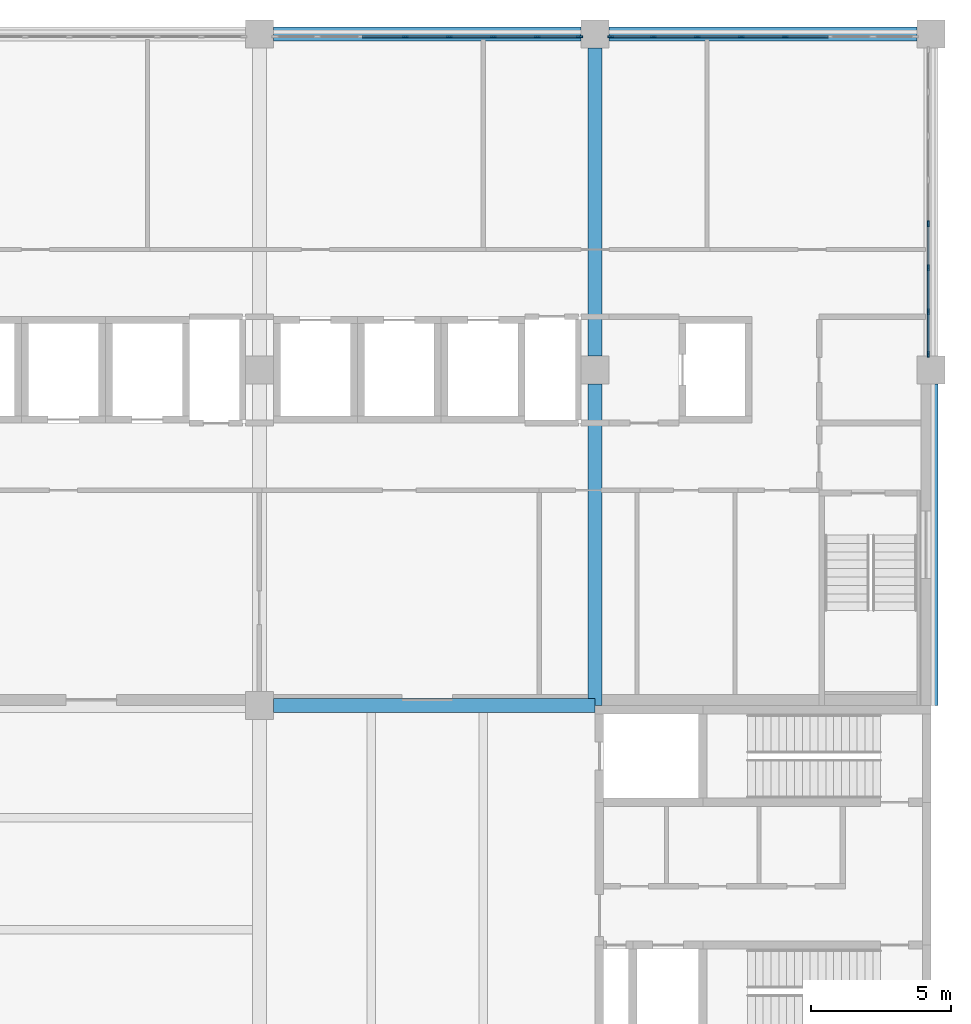
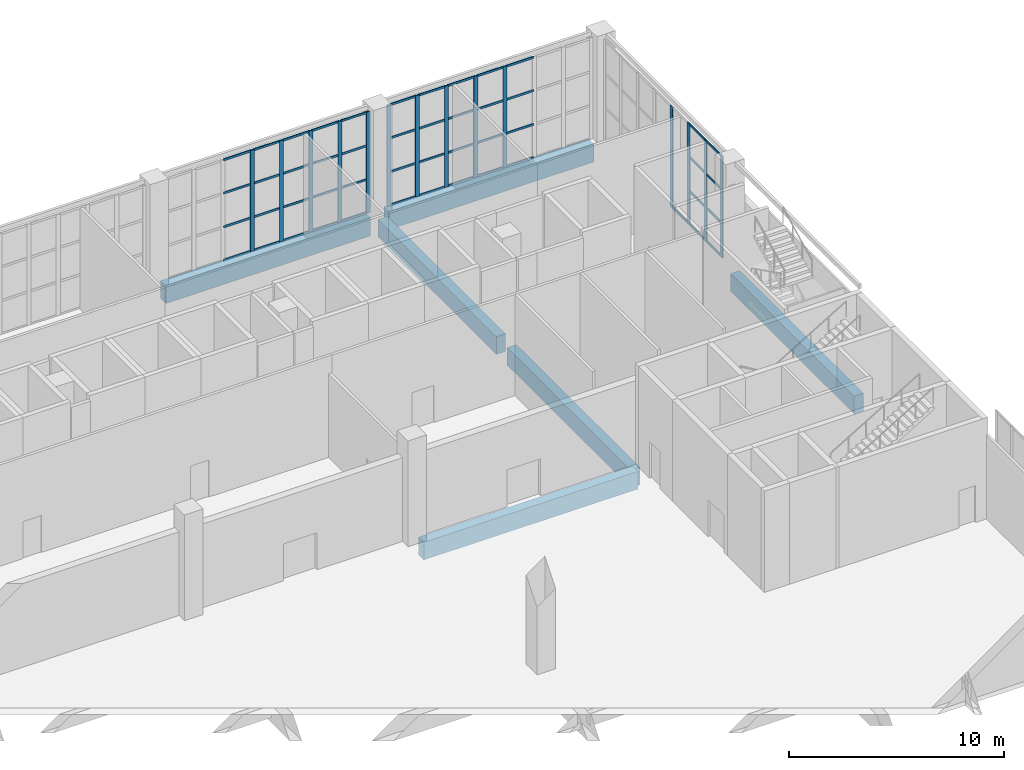
# One storey, part 38 of 72: 63 members, 6 beams, 3 elements without a shape of their own.
"""IFC4 building model written with IfcOpenShell, lengths in metres."""

from ifc_helpers import new_model, si_unit, direction, frame, origin, origin_2d, place, context, subcontext, project, spatial, rectangle, extrude, material, layer, layer_set, material_profile, profile_set, type_object, element, aggregate, save


model = new_model("IFC4")

# Units and contexts
model_context = context("Model", 3, precision=1e-05, world=origin(), true_north=direction((0.0, 1.0)))
body_context = subcontext(model_context, "Body", "Model", "MODEL_VIEW")
ifc_project = project(units=[si_unit("LENGTHUNIT", "METRE"), si_unit("AREAUNIT", "SQUARE_METRE"), si_unit("VOLUMEUNIT", "CUBIC_METRE"), si_unit("PLANEANGLEUNIT", "RADIAN"), si_unit("MASSUNIT", "GRAM", prefix="KILO")], contexts=[model_context])

# Site, building, storey
site_placement = place(None, origin())
site = spatial("IfcSite", under=ifc_project, at=site_placement, CompositionType="ELEMENT")
building_placement = place(site_placement, origin())
building = spatial("IfcBuilding", under=site, at=building_placement, Name="Lilac Gate Convention Centre", CompositionType="ELEMENT")
storey_placement = place(building_placement, frame((0.0, 0.0, 6.0)))
storey = spatial("IfcBuildingStorey", under=building, at=storey_placement, Name="L01", CompositionType="ELEMENT", Elevation=6.0)

# Curtain wall, members
ifc_material_1 = material(Name="Aluminium framed double glazing", Category="aluminium")
ifc_layer = layer(ifc_material_1, 0.199951171875)
ifc_layer_set = layer_set([ifc_layer], Name="Aluminium framed double glazing")
curtain_wall_type = type_object("IfcCurtainWallType", Name="Unitised curtain wall 1500", PredefinedType="NOTDEFINED", material=ifc_layer_set)
curtain_wall_1_placement = place(storey_placement, origin())
curtain_wall_1 = element("IfcCurtainWall", 1, at=curtain_wall_1_placement, inside=storey, type_object=curtain_wall_type, Name="Curtain wall E L01 2", PredefinedType="NOTDEFINED")
ifc_material_2 = material(Name="Aluminium alloy 6063", Category="aluminium")
ifc_material_profile_1 = material_profile(ifc_material_2, rectangle(XDim=0.06005859375, YDim=0.219970703125, at=origin_2d()), Name="Curtain wall mullion 60 x 220")
ifc_profile_set_1 = profile_set([ifc_material_profile_1], Name="Aluminium alloy 6063")
member_type_1 = type_object("IfcMemberType", Name="Curtain wall mullion 60 x 220", PredefinedType="MULLION", material=ifc_profile_set_1)
member_1_placement = place(storey_placement, frame((89.89990234375, 234.56005859375, 0.0), z_axis=(0.0, 0.0, 1.0), x_axis=(-1.0, 0.0, 0.0)))
member_1 = element("IfcMember", 2, at=member_1_placement, type_object=member_type_1, Name="CW mullion 1", PredefinedType="MULLION", context=body_context, shape_type="SweptSolid", body=[
    extrude(rectangle(XDim=0.06005859375, YDim=0.219970703125, at=origin_2d()), origin(), (0.0, 0.0, 1.0), 5.75),
])
member_2_placement = place(storey_placement, frame((89.89990234375, 236.071533203125, 0.0), z_axis=(0.0, 0.0, 1.0), x_axis=(-1.0, 0.0, 0.0)))
member_2 = element("IfcMember", 3, at=member_2_placement, type_object=member_type_1, Name="CW mullion 2", PredefinedType="MULLION", context=body_context, shape_type="SweptSolid", body=[
    extrude(rectangle(XDim=0.06005859375, YDim=0.219970703125, at=origin_2d()), origin(), (0.0, 0.0, 1.0), 5.75),
])
member_3_placement = place(storey_placement, frame((89.89990234375, 237.642822265625, 0.0), z_axis=(0.0, 0.0, 1.0), x_axis=(-1.0, 0.0, 0.0)))
member_3 = element("IfcMember", 4, at=member_3_placement, type_object=member_type_1, Name="CW mullion 3", PredefinedType="MULLION", context=body_context, shape_type="SweptSolid", body=[
    extrude(rectangle(XDim=0.06005859375, YDim=0.219970703125, at=origin_2d()), origin(), (0.0, 0.0, 1.0), 5.75),
])
member_4_placement = place(storey_placement, frame((89.89990234375, 239.21435546875, 0.0), z_axis=(0.0, 0.0, 1.0), x_axis=(-1.0, 0.0, 0.0)))
member_4 = element("IfcMember", 5, at=member_4_placement, type_object=member_type_1, Name="CW mullion 4", PredefinedType="MULLION", context=body_context, shape_type="SweptSolid", body=[
    extrude(rectangle(XDim=0.06005859375, YDim=0.219970703125, at=origin_2d()), origin(), (0.0, 0.0, 1.0), 5.75),
])

curtain_wall_2_placement = place(storey_placement, origin())
curtain_wall_2 = element("IfcCurtainWall", 6, at=curtain_wall_2_placement, inside=storey, type_object=curtain_wall_type, Name="Curtain wall N L01 1", PredefinedType="NOTDEFINED")
member_5_placement = place(storey_placement, frame((84.78564453125, 245.89990234375, 0.0), z_axis=(0.0, 0.0, 1.0), x_axis=(0.0, -1.0, 0.0)))
member_5 = element("IfcMember", 7, at=member_5_placement, type_object=member_type_1, Name="CW mullion 4", PredefinedType="MULLION", context=body_context, shape_type="SweptSolid", body=[
    extrude(rectangle(XDim=0.06005859375, YDim=0.219970703125, at=origin_2d()), origin(), (0.0, 0.0, 1.0), 5.75),
])
member_6_placement = place(storey_placement, frame((83.21435546875, 245.89990234375, 0.0), z_axis=(0.0, 0.0, 1.0), x_axis=(0.0, -1.0, 0.0)))
member_6 = element("IfcMember", 8, at=member_6_placement, type_object=member_type_1, Name="CW mullion 5", PredefinedType="MULLION", context=body_context, shape_type="SweptSolid", body=[
    extrude(rectangle(XDim=0.06005859375, YDim=0.219970703125, at=origin_2d()), origin(), (0.0, 0.0, 1.0), 5.75),
])
member_7_placement = place(storey_placement, frame((81.642822265625, 245.89990234375, 0.0), z_axis=(0.0, 0.0, 1.0), x_axis=(0.0, -1.0, 0.0)))
member_7 = element("IfcMember", 9, at=member_7_placement, type_object=member_type_1, Name="CW mullion 6", PredefinedType="MULLION", context=body_context, shape_type="SweptSolid", body=[
    extrude(rectangle(XDim=0.06005859375, YDim=0.219970703125, at=origin_2d()), origin(), (0.0, 0.0, 1.0), 5.75),
])
member_8_placement = place(storey_placement, frame((80.071533203125, 245.89990234375, 0.0), z_axis=(0.0, 0.0, 1.0), x_axis=(0.0, -1.0, 0.0)))
member_8 = element("IfcMember", 10, at=member_8_placement, type_object=member_type_1, Name="CW mullion 7", PredefinedType="MULLION", context=body_context, shape_type="SweptSolid", body=[
    extrude(rectangle(XDim=0.06005859375, YDim=0.219970703125, at=origin_2d()), origin(), (0.0, 0.0, 1.0), 5.75),
])
member_9_placement = place(storey_placement, frame((78.56005859375, 245.89990234375, 0.0), z_axis=(0.0, 0.0, 1.0), x_axis=(0.0, -1.0, 0.0)))
member_9 = element("IfcMember", 11, at=member_9_placement, type_object=member_type_1, Name="CW mullion 8", PredefinedType="MULLION", context=body_context, shape_type="SweptSolid", body=[
    extrude(rectangle(XDim=0.06005859375, YDim=0.219970703125, at=origin_2d()), origin(), (0.0, 0.0, 1.0), 5.75),
])

curtain_wall_3_placement = place(storey_placement, origin())
curtain_wall_3 = element("IfcCurtainWall", 12, at=curtain_wall_3_placement, inside=storey, type_object=curtain_wall_type, Name="Curtain wall N L01 2", PredefinedType="NOTDEFINED")
member_10_placement = place(storey_placement, frame((77.43994140625, 245.89990234375, 0.0), z_axis=(0.0, 0.0, 1.0), x_axis=(0.0, -1.0, 0.0)))
member_10 = element("IfcMember", 13, at=member_10_placement, type_object=member_type_1, Name="CW mullion 1", PredefinedType="MULLION", context=body_context, shape_type="SweptSolid", body=[
    extrude(rectangle(XDim=0.06005859375, YDim=0.219970703125, at=origin_2d()), origin(), (0.0, 0.0, 1.0), 5.75),
])
member_11_placement = place(storey_placement, frame((75.928466796875, 245.89990234375, 0.0), z_axis=(0.0, 0.0, 1.0), x_axis=(0.0, -1.0, 0.0)))
member_11 = element("IfcMember", 14, at=member_11_placement, type_object=member_type_1, Name="CW mullion 2", PredefinedType="MULLION", context=body_context, shape_type="SweptSolid", body=[
    extrude(rectangle(XDim=0.06005859375, YDim=0.219970703125, at=origin_2d()), origin(), (0.0, 0.0, 1.0), 5.75),
])
member_12_placement = place(storey_placement, frame((74.357177734375, 245.89990234375, 0.0), z_axis=(0.0, 0.0, 1.0), x_axis=(0.0, -1.0, 0.0)))
member_12 = element("IfcMember", 15, at=member_12_placement, type_object=member_type_1, Name="CW mullion 3", PredefinedType="MULLION", context=body_context, shape_type="SweptSolid", body=[
    extrude(rectangle(XDim=0.06005859375, YDim=0.219970703125, at=origin_2d()), origin(), (0.0, 0.0, 1.0), 5.75),
])
member_13_placement = place(storey_placement, frame((72.78564453125, 245.89990234375, 0.0), z_axis=(0.0, 0.0, 1.0), x_axis=(0.0, -1.0, 0.0)))
member_13 = element("IfcMember", 16, at=member_13_placement, type_object=member_type_1, Name="CW mullion 4", PredefinedType="MULLION", context=body_context, shape_type="SweptSolid", body=[
    extrude(rectangle(XDim=0.06005859375, YDim=0.219970703125, at=origin_2d()), origin(), (0.0, 0.0, 1.0), 5.75),
])
member_14_placement = place(storey_placement, frame((71.21435546875, 245.89990234375, 0.0), z_axis=(0.0, 0.0, 1.0), x_axis=(0.0, -1.0, 0.0)))
member_14 = element("IfcMember", 17, at=member_14_placement, type_object=member_type_1, Name="CW mullion 5", PredefinedType="MULLION", context=body_context, shape_type="SweptSolid", body=[
    extrude(rectangle(XDim=0.06005859375, YDim=0.219970703125, at=origin_2d()), origin(), (0.0, 0.0, 1.0), 5.75),
])

# Member
ifc_material_profile_2 = material_profile(ifc_material_2, rectangle(XDim=0.06005859375, YDim=0.1201171875, at=origin_2d()), Name="Curtain wall transom 60 x 120")
ifc_profile_set_2 = profile_set([ifc_material_profile_2], Name="Aluminium alloy 6063")
member_type_2 = type_object("IfcMemberType", Name="Curtain wall transom 60 x 120", PredefinedType="USERDEFINED", material=ifc_profile_set_2)
member_15_placement = place(storey_placement, frame((89.89990234375, 234.56005859375, 0.030029296875), z_axis=(0.0, 1.0, 0.0), x_axis=(-1.0, 0.0, 0.0)))
member_15 = element("IfcMember", 18, at=member_15_placement, type_object=member_type_2, Name="CW transom 1.1", ObjectType="TRANSOM", PredefinedType="USERDEFINED", context=body_context, shape_type="SweptSolid", body=[
    extrude(rectangle(XDim=0.06005859375, YDim=0.1201171875, at=origin_2d()), origin(), (0.0, 0.0, 1.0), 1.4814453125),
])

member_16_placement = place(storey_placement, frame((89.89990234375, 234.56005859375, 1.916748046875), z_axis=(0.0, 1.0, 0.0), x_axis=(-1.0, 0.0, 0.0)))
member_16 = element("IfcMember", 19, at=member_16_placement, type_object=member_type_2, Name="CW transom 1.2", ObjectType="TRANSOM", PredefinedType="USERDEFINED", context=body_context, shape_type="SweptSolid", body=[
    extrude(rectangle(XDim=0.06005859375, YDim=0.1201171875, at=origin_2d()), origin(), (0.0, 0.0, 1.0), 1.4814453125),
])

member_17_placement = place(storey_placement, frame((89.89990234375, 234.56005859375, 3.833251953125), z_axis=(0.0, 1.0, 0.0), x_axis=(-1.0, 0.0, 0.0)))
member_17 = element("IfcMember", 20, at=member_17_placement, type_object=member_type_2, Name="CW transom 1.3", ObjectType="TRANSOM", PredefinedType="USERDEFINED", context=body_context, shape_type="SweptSolid", body=[
    extrude(rectangle(XDim=0.06005859375, YDim=0.1201171875, at=origin_2d()), origin(), (0.0, 0.0, 1.0), 1.4814453125),
])

member_18_placement = place(storey_placement, frame((89.89990234375, 234.56005859375, 5.719970703125), z_axis=(0.0, 1.0, 0.0), x_axis=(-1.0, 0.0, 0.0)))
member_18 = element("IfcMember", 21, at=member_18_placement, type_object=member_type_2, Name="CW transom 1.4", ObjectType="TRANSOM", PredefinedType="USERDEFINED", context=body_context, shape_type="SweptSolid", body=[
    extrude(rectangle(XDim=0.06005859375, YDim=0.1201171875, at=origin_2d()), origin(), (0.0, 0.0, 1.0), 1.4814453125),
])

member_19_placement = place(storey_placement, frame((89.89990234375, 236.101318359375, 0.030029296875), z_axis=(0.0, 1.0, 0.0), x_axis=(-1.0, 0.0, 0.0)))
member_19 = element("IfcMember", 22, at=member_19_placement, type_object=member_type_2, Name="CW transom 2.1", ObjectType="TRANSOM", PredefinedType="USERDEFINED", context=body_context, shape_type="SweptSolid", body=[
    extrude(rectangle(XDim=0.06005859375, YDim=0.1201171875, at=origin_2d()), origin(), (0.0, 0.0, 1.0), 1.511474609375),
])

member_20_placement = place(storey_placement, frame((89.89990234375, 236.101318359375, 1.916748046875), z_axis=(0.0, 1.0, 0.0), x_axis=(-1.0, 0.0, 0.0)))
member_20 = element("IfcMember", 23, at=member_20_placement, type_object=member_type_2, Name="CW transom 2.2", ObjectType="TRANSOM", PredefinedType="USERDEFINED", context=body_context, shape_type="SweptSolid", body=[
    extrude(rectangle(XDim=0.06005859375, YDim=0.1201171875, at=origin_2d()), origin(), (0.0, 0.0, 1.0), 1.511474609375),
])

member_21_placement = place(storey_placement, frame((89.89990234375, 236.101318359375, 3.833251953125), z_axis=(0.0, 1.0, 0.0), x_axis=(-1.0, 0.0, 0.0)))
member_21 = element("IfcMember", 24, at=member_21_placement, type_object=member_type_2, Name="CW transom 2.3", ObjectType="TRANSOM", PredefinedType="USERDEFINED", context=body_context, shape_type="SweptSolid", body=[
    extrude(rectangle(XDim=0.06005859375, YDim=0.1201171875, at=origin_2d()), origin(), (0.0, 0.0, 1.0), 1.511474609375),
])

member_22_placement = place(storey_placement, frame((89.89990234375, 236.101318359375, 5.719970703125), z_axis=(0.0, 1.0, 0.0), x_axis=(-1.0, 0.0, 0.0)))
member_22 = element("IfcMember", 25, at=member_22_placement, type_object=member_type_2, Name="CW transom 2.4", ObjectType="TRANSOM", PredefinedType="USERDEFINED", context=body_context, shape_type="SweptSolid", body=[
    extrude(rectangle(XDim=0.06005859375, YDim=0.1201171875, at=origin_2d()), origin(), (0.0, 0.0, 1.0), 1.511474609375),
])

member_23_placement = place(storey_placement, frame((89.89990234375, 237.6728515625, 0.030029296875), z_axis=(0.0, 1.0, 0.0), x_axis=(-1.0, 0.0, 0.0)))
member_23 = element("IfcMember", 26, at=member_23_placement, type_object=member_type_2, Name="CW transom 3.1", ObjectType="TRANSOM", PredefinedType="USERDEFINED", context=body_context, shape_type="SweptSolid", body=[
    extrude(rectangle(XDim=0.06005859375, YDim=0.1201171875, at=origin_2d()), origin(), (0.0, 0.0, 1.0), 1.511474609375),
])

aggregate(curtain_wall_1, [member_1, member_2, member_3, member_4, member_15, member_16, member_17, member_18, member_19, member_20, member_21, member_22, member_23])

member_24_placement = place(storey_placement, frame((86.3271484375, 245.89990234375, 0.030029296875), z_axis=(-1.0, 0.0, 0.0), x_axis=(0.0, -1.0, 0.0)))
member_24 = element("IfcMember", 27, at=member_24_placement, type_object=member_type_2, Name="CW transom 3.1", ObjectType="TRANSOM", PredefinedType="USERDEFINED", context=body_context, shape_type="SweptSolid", body=[
    extrude(rectangle(XDim=0.06005859375, YDim=0.1201171875, at=origin_2d()), origin(), (0.0, 0.0, 1.0), 1.511474609375),
])

member_25_placement = place(storey_placement, frame((86.3271484375, 245.89990234375, 1.916748046875), z_axis=(-1.0, 0.0, 0.0), x_axis=(0.0, -1.0, 0.0)))
member_25 = element("IfcMember", 28, at=member_25_placement, type_object=member_type_2, Name="CW transom 3.2", ObjectType="TRANSOM", PredefinedType="USERDEFINED", context=body_context, shape_type="SweptSolid", body=[
    extrude(rectangle(XDim=0.06005859375, YDim=0.1201171875, at=origin_2d()), origin(), (0.0, 0.0, 1.0), 1.511474609375),
])

member_26_placement = place(storey_placement, frame((86.3271484375, 245.89990234375, 3.833251953125), z_axis=(-1.0, 0.0, 0.0), x_axis=(0.0, -1.0, 0.0)))
member_26 = element("IfcMember", 29, at=member_26_placement, type_object=member_type_2, Name="CW transom 3.3", ObjectType="TRANSOM", PredefinedType="USERDEFINED", context=body_context, shape_type="SweptSolid", body=[
    extrude(rectangle(XDim=0.06005859375, YDim=0.1201171875, at=origin_2d()), origin(), (0.0, 0.0, 1.0), 1.511474609375),
])

member_27_placement = place(storey_placement, frame((86.3271484375, 245.89990234375, 5.719970703125), z_axis=(-1.0, 0.0, 0.0), x_axis=(0.0, -1.0, 0.0)))
member_27 = element("IfcMember", 30, at=member_27_placement, type_object=member_type_2, Name="CW transom 3.4", ObjectType="TRANSOM", PredefinedType="USERDEFINED", context=body_context, shape_type="SweptSolid", body=[
    extrude(rectangle(XDim=0.06005859375, YDim=0.1201171875, at=origin_2d()), origin(), (0.0, 0.0, 1.0), 1.511474609375),
])

member_28_placement = place(storey_placement, frame((84.755615234375, 245.89990234375, 0.030029296875), z_axis=(-1.0, 0.0, 0.0), x_axis=(0.0, -1.0, 0.0)))
member_28 = element("IfcMember", 31, at=member_28_placement, type_object=member_type_2, Name="CW transom 4.1", ObjectType="TRANSOM", PredefinedType="USERDEFINED", context=body_context, shape_type="SweptSolid", body=[
    extrude(rectangle(XDim=0.06005859375, YDim=0.1201171875, at=origin_2d()), origin(), (0.0, 0.0, 1.0), 1.51123046875),
])

member_29_placement = place(storey_placement, frame((84.755615234375, 245.89990234375, 1.916748046875), z_axis=(-1.0, 0.0, 0.0), x_axis=(0.0, -1.0, 0.0)))
member_29 = element("IfcMember", 32, at=member_29_placement, type_object=member_type_2, Name="CW transom 4.2", ObjectType="TRANSOM", PredefinedType="USERDEFINED", context=body_context, shape_type="SweptSolid", body=[
    extrude(rectangle(XDim=0.06005859375, YDim=0.1201171875, at=origin_2d()), origin(), (0.0, 0.0, 1.0), 1.51123046875),
])

member_30_placement = place(storey_placement, frame((84.755615234375, 245.89990234375, 3.833251953125), z_axis=(-1.0, 0.0, 0.0), x_axis=(0.0, -1.0, 0.0)))
member_30 = element("IfcMember", 33, at=member_30_placement, type_object=member_type_2, Name="CW transom 4.3", ObjectType="TRANSOM", PredefinedType="USERDEFINED", context=body_context, shape_type="SweptSolid", body=[
    extrude(rectangle(XDim=0.06005859375, YDim=0.1201171875, at=origin_2d()), origin(), (0.0, 0.0, 1.0), 1.51123046875),
])

member_31_placement = place(storey_placement, frame((84.755615234375, 245.89990234375, 5.719970703125), z_axis=(-1.0, 0.0, 0.0), x_axis=(0.0, -1.0, 0.0)))
member_31 = element("IfcMember", 34, at=member_31_placement, type_object=member_type_2, Name="CW transom 4.4", ObjectType="TRANSOM", PredefinedType="USERDEFINED", context=body_context, shape_type="SweptSolid", body=[
    extrude(rectangle(XDim=0.06005859375, YDim=0.1201171875, at=origin_2d()), origin(), (0.0, 0.0, 1.0), 1.51123046875),
])

member_32_placement = place(storey_placement, frame((83.184326171875, 245.89990234375, 0.030029296875), z_axis=(-1.0, 0.0, 0.0), x_axis=(0.0, -1.0, 0.0)))
member_32 = element("IfcMember", 35, at=member_32_placement, type_object=member_type_2, Name="CW transom 5.1", ObjectType="TRANSOM", PredefinedType="USERDEFINED", context=body_context, shape_type="SweptSolid", body=[
    extrude(rectangle(XDim=0.06005859375, YDim=0.1201171875, at=origin_2d()), origin(), (0.0, 0.0, 1.0), 1.511474609375),
])

member_33_placement = place(storey_placement, frame((83.184326171875, 245.89990234375, 1.916748046875), z_axis=(-1.0, 0.0, 0.0), x_axis=(0.0, -1.0, 0.0)))
member_33 = element("IfcMember", 36, at=member_33_placement, type_object=member_type_2, Name="CW transom 5.2", ObjectType="TRANSOM", PredefinedType="USERDEFINED", context=body_context, shape_type="SweptSolid", body=[
    extrude(rectangle(XDim=0.06005859375, YDim=0.1201171875, at=origin_2d()), origin(), (0.0, 0.0, 1.0), 1.511474609375),
])

member_34_placement = place(storey_placement, frame((83.184326171875, 245.89990234375, 3.833251953125), z_axis=(-1.0, 0.0, 0.0), x_axis=(0.0, -1.0, 0.0)))
member_34 = element("IfcMember", 37, at=member_34_placement, type_object=member_type_2, Name="CW transom 5.3", ObjectType="TRANSOM", PredefinedType="USERDEFINED", context=body_context, shape_type="SweptSolid", body=[
    extrude(rectangle(XDim=0.06005859375, YDim=0.1201171875, at=origin_2d()), origin(), (0.0, 0.0, 1.0), 1.511474609375),
])

member_35_placement = place(storey_placement, frame((83.184326171875, 245.89990234375, 5.719970703125), z_axis=(-1.0, 0.0, 0.0), x_axis=(0.0, -1.0, 0.0)))
member_35 = element("IfcMember", 38, at=member_35_placement, type_object=member_type_2, Name="CW transom 5.4", ObjectType="TRANSOM", PredefinedType="USERDEFINED", context=body_context, shape_type="SweptSolid", body=[
    extrude(rectangle(XDim=0.06005859375, YDim=0.1201171875, at=origin_2d()), origin(), (0.0, 0.0, 1.0), 1.511474609375),
])

member_36_placement = place(storey_placement, frame((81.61279296875, 245.89990234375, 0.030029296875), z_axis=(-1.0, 0.0, 0.0), x_axis=(0.0, -1.0, 0.0)))
member_36 = element("IfcMember", 39, at=member_36_placement, type_object=member_type_2, Name="CW transom 6.1", ObjectType="TRANSOM", PredefinedType="USERDEFINED", context=body_context, shape_type="SweptSolid", body=[
    extrude(rectangle(XDim=0.06005859375, YDim=0.1201171875, at=origin_2d()), origin(), (0.0, 0.0, 1.0), 1.511474609375),
])

member_37_placement = place(storey_placement, frame((81.61279296875, 245.89990234375, 1.916748046875), z_axis=(-1.0, 0.0, 0.0), x_axis=(0.0, -1.0, 0.0)))
member_37 = element("IfcMember", 40, at=member_37_placement, type_object=member_type_2, Name="CW transom 6.2", ObjectType="TRANSOM", PredefinedType="USERDEFINED", context=body_context, shape_type="SweptSolid", body=[
    extrude(rectangle(XDim=0.06005859375, YDim=0.1201171875, at=origin_2d()), origin(), (0.0, 0.0, 1.0), 1.511474609375),
])

member_38_placement = place(storey_placement, frame((81.61279296875, 245.89990234375, 3.833251953125), z_axis=(-1.0, 0.0, 0.0), x_axis=(0.0, -1.0, 0.0)))
member_38 = element("IfcMember", 41, at=member_38_placement, type_object=member_type_2, Name="CW transom 6.3", ObjectType="TRANSOM", PredefinedType="USERDEFINED", context=body_context, shape_type="SweptSolid", body=[
    extrude(rectangle(XDim=0.06005859375, YDim=0.1201171875, at=origin_2d()), origin(), (0.0, 0.0, 1.0), 1.511474609375),
])

member_39_placement = place(storey_placement, frame((81.61279296875, 245.89990234375, 5.719970703125), z_axis=(-1.0, 0.0, 0.0), x_axis=(0.0, -1.0, 0.0)))
member_39 = element("IfcMember", 42, at=member_39_placement, type_object=member_type_2, Name="CW transom 6.4", ObjectType="TRANSOM", PredefinedType="USERDEFINED", context=body_context, shape_type="SweptSolid", body=[
    extrude(rectangle(XDim=0.06005859375, YDim=0.1201171875, at=origin_2d()), origin(), (0.0, 0.0, 1.0), 1.511474609375),
])

member_40_placement = place(storey_placement, frame((80.04150390625, 245.89990234375, 0.030029296875), z_axis=(-1.0, 0.0, 0.0), x_axis=(0.0, -1.0, 0.0)))
member_40 = element("IfcMember", 43, at=member_40_placement, type_object=member_type_2, Name="CW transom 7.1", ObjectType="TRANSOM", PredefinedType="USERDEFINED", context=body_context, shape_type="SweptSolid", body=[
    extrude(rectangle(XDim=0.06005859375, YDim=0.1201171875, at=origin_2d()), origin(), (0.0, 0.0, 1.0), 1.4814453125),
])

member_41_placement = place(storey_placement, frame((80.04150390625, 245.89990234375, 1.916748046875), z_axis=(-1.0, 0.0, 0.0), x_axis=(0.0, -1.0, 0.0)))
member_41 = element("IfcMember", 44, at=member_41_placement, type_object=member_type_2, Name="CW transom 7.2", ObjectType="TRANSOM", PredefinedType="USERDEFINED", context=body_context, shape_type="SweptSolid", body=[
    extrude(rectangle(XDim=0.06005859375, YDim=0.1201171875, at=origin_2d()), origin(), (0.0, 0.0, 1.0), 1.4814453125),
])

member_42_placement = place(storey_placement, frame((80.04150390625, 245.89990234375, 3.833251953125), z_axis=(-1.0, 0.0, 0.0), x_axis=(0.0, -1.0, 0.0)))
member_42 = element("IfcMember", 45, at=member_42_placement, type_object=member_type_2, Name="CW transom 7.3", ObjectType="TRANSOM", PredefinedType="USERDEFINED", context=body_context, shape_type="SweptSolid", body=[
    extrude(rectangle(XDim=0.06005859375, YDim=0.1201171875, at=origin_2d()), origin(), (0.0, 0.0, 1.0), 1.4814453125),
])

member_43_placement = place(storey_placement, frame((80.04150390625, 245.89990234375, 5.719970703125), z_axis=(-1.0, 0.0, 0.0), x_axis=(0.0, -1.0, 0.0)))
member_43 = element("IfcMember", 46, at=member_43_placement, type_object=member_type_2, Name="CW transom 7.4", ObjectType="TRANSOM", PredefinedType="USERDEFINED", context=body_context, shape_type="SweptSolid", body=[
    extrude(rectangle(XDim=0.06005859375, YDim=0.1201171875, at=origin_2d()), origin(), (0.0, 0.0, 1.0), 1.4814453125),
])

aggregate(curtain_wall_2, [member_5, member_6, member_7, member_8, member_9, member_24, member_25, member_26, member_27, member_28, member_29, member_30, member_31, member_32, member_33, member_34, member_35, member_36, member_37, member_38, member_39, member_40, member_41, member_42, member_43])

member_44_placement = place(storey_placement, frame((77.43994140625, 245.89990234375, 0.030029296875), z_axis=(-1.0, 0.0, 0.0), x_axis=(0.0, -1.0, 0.0)))
member_44 = element("IfcMember", 47, at=member_44_placement, type_object=member_type_2, Name="CW transom 1.1", ObjectType="TRANSOM", PredefinedType="USERDEFINED", context=body_context, shape_type="SweptSolid", body=[
    extrude(rectangle(XDim=0.06005859375, YDim=0.1201171875, at=origin_2d()), origin(), (0.0, 0.0, 1.0), 1.4814453125),
])

member_45_placement = place(storey_placement, frame((77.43994140625, 245.89990234375, 1.916748046875), z_axis=(-1.0, 0.0, 0.0), x_axis=(0.0, -1.0, 0.0)))
member_45 = element("IfcMember", 48, at=member_45_placement, type_object=member_type_2, Name="CW transom 1.2", ObjectType="TRANSOM", PredefinedType="USERDEFINED", context=body_context, shape_type="SweptSolid", body=[
    extrude(rectangle(XDim=0.06005859375, YDim=0.1201171875, at=origin_2d()), origin(), (0.0, 0.0, 1.0), 1.4814453125),
])

member_46_placement = place(storey_placement, frame((77.43994140625, 245.89990234375, 3.833251953125), z_axis=(-1.0, 0.0, 0.0), x_axis=(0.0, -1.0, 0.0)))
member_46 = element("IfcMember", 49, at=member_46_placement, type_object=member_type_2, Name="CW transom 1.3", ObjectType="TRANSOM", PredefinedType="USERDEFINED", context=body_context, shape_type="SweptSolid", body=[
    extrude(rectangle(XDim=0.06005859375, YDim=0.1201171875, at=origin_2d()), origin(), (0.0, 0.0, 1.0), 1.4814453125),
])

member_47_placement = place(storey_placement, frame((77.43994140625, 245.89990234375, 5.719970703125), z_axis=(-1.0, 0.0, 0.0), x_axis=(0.0, -1.0, 0.0)))
member_47 = element("IfcMember", 50, at=member_47_placement, type_object=member_type_2, Name="CW transom 1.4", ObjectType="TRANSOM", PredefinedType="USERDEFINED", context=body_context, shape_type="SweptSolid", body=[
    extrude(rectangle(XDim=0.06005859375, YDim=0.1201171875, at=origin_2d()), origin(), (0.0, 0.0, 1.0), 1.4814453125),
])

member_48_placement = place(storey_placement, frame((75.898681640625, 245.89990234375, 0.030029296875), z_axis=(-1.0, 0.0, 0.0), x_axis=(0.0, -1.0, 0.0)))
member_48 = element("IfcMember", 51, at=member_48_placement, type_object=member_type_2, Name="CW transom 2.1", ObjectType="TRANSOM", PredefinedType="USERDEFINED", context=body_context, shape_type="SweptSolid", body=[
    extrude(rectangle(XDim=0.06005859375, YDim=0.1201171875, at=origin_2d()), origin(), (0.0, 0.0, 1.0), 1.511474609375),
])

member_49_placement = place(storey_placement, frame((75.898681640625, 245.89990234375, 1.916748046875), z_axis=(-1.0, 0.0, 0.0), x_axis=(0.0, -1.0, 0.0)))
member_49 = element("IfcMember", 52, at=member_49_placement, type_object=member_type_2, Name="CW transom 2.2", ObjectType="TRANSOM", PredefinedType="USERDEFINED", context=body_context, shape_type="SweptSolid", body=[
    extrude(rectangle(XDim=0.06005859375, YDim=0.1201171875, at=origin_2d()), origin(), (0.0, 0.0, 1.0), 1.511474609375),
])

member_50_placement = place(storey_placement, frame((75.898681640625, 245.89990234375, 3.833251953125), z_axis=(-1.0, 0.0, 0.0), x_axis=(0.0, -1.0, 0.0)))
member_50 = element("IfcMember", 53, at=member_50_placement, type_object=member_type_2, Name="CW transom 2.3", ObjectType="TRANSOM", PredefinedType="USERDEFINED", context=body_context, shape_type="SweptSolid", body=[
    extrude(rectangle(XDim=0.06005859375, YDim=0.1201171875, at=origin_2d()), origin(), (0.0, 0.0, 1.0), 1.511474609375),
])

member_51_placement = place(storey_placement, frame((75.898681640625, 245.89990234375, 5.719970703125), z_axis=(-1.0, 0.0, 0.0), x_axis=(0.0, -1.0, 0.0)))
member_51 = element("IfcMember", 54, at=member_51_placement, type_object=member_type_2, Name="CW transom 2.4", ObjectType="TRANSOM", PredefinedType="USERDEFINED", context=body_context, shape_type="SweptSolid", body=[
    extrude(rectangle(XDim=0.06005859375, YDim=0.1201171875, at=origin_2d()), origin(), (0.0, 0.0, 1.0), 1.511474609375),
])

member_52_placement = place(storey_placement, frame((74.3271484375, 245.89990234375, 0.030029296875), z_axis=(-1.0, 0.0, 0.0), x_axis=(0.0, -1.0, 0.0)))
member_52 = element("IfcMember", 55, at=member_52_placement, type_object=member_type_2, Name="CW transom 3.1", ObjectType="TRANSOM", PredefinedType="USERDEFINED", context=body_context, shape_type="SweptSolid", body=[
    extrude(rectangle(XDim=0.06005859375, YDim=0.1201171875, at=origin_2d()), origin(), (0.0, 0.0, 1.0), 1.511474609375),
])

member_53_placement = place(storey_placement, frame((74.3271484375, 245.89990234375, 1.916748046875), z_axis=(-1.0, 0.0, 0.0), x_axis=(0.0, -1.0, 0.0)))
member_53 = element("IfcMember", 56, at=member_53_placement, type_object=member_type_2, Name="CW transom 3.2", ObjectType="TRANSOM", PredefinedType="USERDEFINED", context=body_context, shape_type="SweptSolid", body=[
    extrude(rectangle(XDim=0.06005859375, YDim=0.1201171875, at=origin_2d()), origin(), (0.0, 0.0, 1.0), 1.511474609375),
])

member_54_placement = place(storey_placement, frame((74.3271484375, 245.89990234375, 3.833251953125), z_axis=(-1.0, 0.0, 0.0), x_axis=(0.0, -1.0, 0.0)))
member_54 = element("IfcMember", 57, at=member_54_placement, type_object=member_type_2, Name="CW transom 3.3", ObjectType="TRANSOM", PredefinedType="USERDEFINED", context=body_context, shape_type="SweptSolid", body=[
    extrude(rectangle(XDim=0.06005859375, YDim=0.1201171875, at=origin_2d()), origin(), (0.0, 0.0, 1.0), 1.511474609375),
])

member_55_placement = place(storey_placement, frame((74.3271484375, 245.89990234375, 5.719970703125), z_axis=(-1.0, 0.0, 0.0), x_axis=(0.0, -1.0, 0.0)))
member_55 = element("IfcMember", 58, at=member_55_placement, type_object=member_type_2, Name="CW transom 3.4", ObjectType="TRANSOM", PredefinedType="USERDEFINED", context=body_context, shape_type="SweptSolid", body=[
    extrude(rectangle(XDim=0.06005859375, YDim=0.1201171875, at=origin_2d()), origin(), (0.0, 0.0, 1.0), 1.511474609375),
])

member_56_placement = place(storey_placement, frame((72.755615234375, 245.89990234375, 0.030029296875), z_axis=(-1.0, 0.0, 0.0), x_axis=(0.0, -1.0, 0.0)))
member_56 = element("IfcMember", 59, at=member_56_placement, type_object=member_type_2, Name="CW transom 4.1", ObjectType="TRANSOM", PredefinedType="USERDEFINED", context=body_context, shape_type="SweptSolid", body=[
    extrude(rectangle(XDim=0.06005859375, YDim=0.1201171875, at=origin_2d()), origin(), (0.0, 0.0, 1.0), 1.51123046875),
])

member_57_placement = place(storey_placement, frame((72.755615234375, 245.89990234375, 1.916748046875), z_axis=(-1.0, 0.0, 0.0), x_axis=(0.0, -1.0, 0.0)))
member_57 = element("IfcMember", 60, at=member_57_placement, type_object=member_type_2, Name="CW transom 4.2", ObjectType="TRANSOM", PredefinedType="USERDEFINED", context=body_context, shape_type="SweptSolid", body=[
    extrude(rectangle(XDim=0.06005859375, YDim=0.1201171875, at=origin_2d()), origin(), (0.0, 0.0, 1.0), 1.51123046875),
])

member_58_placement = place(storey_placement, frame((72.755615234375, 245.89990234375, 3.833251953125), z_axis=(-1.0, 0.0, 0.0), x_axis=(0.0, -1.0, 0.0)))
member_58 = element("IfcMember", 61, at=member_58_placement, type_object=member_type_2, Name="CW transom 4.3", ObjectType="TRANSOM", PredefinedType="USERDEFINED", context=body_context, shape_type="SweptSolid", body=[
    extrude(rectangle(XDim=0.06005859375, YDim=0.1201171875, at=origin_2d()), origin(), (0.0, 0.0, 1.0), 1.51123046875),
])

member_59_placement = place(storey_placement, frame((72.755615234375, 245.89990234375, 5.719970703125), z_axis=(-1.0, 0.0, 0.0), x_axis=(0.0, -1.0, 0.0)))
member_59 = element("IfcMember", 62, at=member_59_placement, type_object=member_type_2, Name="CW transom 4.4", ObjectType="TRANSOM", PredefinedType="USERDEFINED", context=body_context, shape_type="SweptSolid", body=[
    extrude(rectangle(XDim=0.06005859375, YDim=0.1201171875, at=origin_2d()), origin(), (0.0, 0.0, 1.0), 1.51123046875),
])

member_60_placement = place(storey_placement, frame((71.184326171875, 245.89990234375, 0.030029296875), z_axis=(-1.0, 0.0, 0.0), x_axis=(0.0, -1.0, 0.0)))
member_60 = element("IfcMember", 63, at=member_60_placement, type_object=member_type_2, Name="CW transom 5.1", ObjectType="TRANSOM", PredefinedType="USERDEFINED", context=body_context, shape_type="SweptSolid", body=[
    extrude(rectangle(XDim=0.06005859375, YDim=0.1201171875, at=origin_2d()), origin(), (0.0, 0.0, 1.0), 1.511474609375),
])

member_61_placement = place(storey_placement, frame((71.184326171875, 245.89990234375, 1.916748046875), z_axis=(-1.0, 0.0, 0.0), x_axis=(0.0, -1.0, 0.0)))
member_61 = element("IfcMember", 64, at=member_61_placement, type_object=member_type_2, Name="CW transom 5.2", ObjectType="TRANSOM", PredefinedType="USERDEFINED", context=body_context, shape_type="SweptSolid", body=[
    extrude(rectangle(XDim=0.06005859375, YDim=0.1201171875, at=origin_2d()), origin(), (0.0, 0.0, 1.0), 1.511474609375),
])

member_62_placement = place(storey_placement, frame((71.184326171875, 245.89990234375, 3.833251953125), z_axis=(-1.0, 0.0, 0.0), x_axis=(0.0, -1.0, 0.0)))
member_62 = element("IfcMember", 65, at=member_62_placement, type_object=member_type_2, Name="CW transom 5.3", ObjectType="TRANSOM", PredefinedType="USERDEFINED", context=body_context, shape_type="SweptSolid", body=[
    extrude(rectangle(XDim=0.06005859375, YDim=0.1201171875, at=origin_2d()), origin(), (0.0, 0.0, 1.0), 1.511474609375),
])

member_63_placement = place(storey_placement, frame((71.184326171875, 245.89990234375, 5.719970703125), z_axis=(-1.0, 0.0, 0.0), x_axis=(0.0, -1.0, 0.0)))
member_63 = element("IfcMember", 66, at=member_63_placement, type_object=member_type_2, Name="CW transom 5.4", ObjectType="TRANSOM", PredefinedType="USERDEFINED", context=body_context, shape_type="SweptSolid", body=[
    extrude(rectangle(XDim=0.06005859375, YDim=0.1201171875, at=origin_2d()), origin(), (0.0, 0.0, 1.0), 1.511474609375),
])

aggregate(curtain_wall_3, [member_10, member_11, member_12, member_13, member_14, member_44, member_45, member_46, member_47, member_48, member_49, member_50, member_51, member_52, member_53, member_54, member_55, member_56, member_57, member_58, member_59, member_60, member_61, member_62, member_63])

# Beams
ifc_material_3 = material(Name="Concrete C40", Category="concrete")
ifc_material_profile_3 = material_profile(ifc_material_3, rectangle(XDim=0.5, YDim=1.0, at=origin_2d()), Name="RC 500x1000")
ifc_profile_set_3 = profile_set([ifc_material_profile_3], Name="Concrete C40")
beam_type = type_object("IfcBeamType", Name="Primary beam 500x1000 C40", PredefinedType="BEAM", material=ifc_profile_set_3)
beam_1_placement = place(storey_placement, frame((66.5, 222.0, -0.75), z_axis=(1.0, 0.0, 0.0), x_axis=(0.0, 1.0, 0.0)))
element("IfcBeam", 67, at=beam_1_placement, inside=storey, type_object=beam_type, Name="RB1 L01 6/S-7/S", PredefinedType="BEAM", context=body_context, shape_type="SweptSolid", body=[
    extrude(rectangle(XDim=0.5, YDim=1.0, at=origin_2d()), origin(), (0.0, 0.0, 1.0), 11.5),
])
for number, where, z_axis, x_axis, name in (
    (68, (66.5, 246.0, -0.75), (1.0, 0.0, 0.0), (0.0, 1.0, 0.0), "RB1 L01 6/U-7/U"),
    (69, (78.5, 246.0, -0.75), (1.0, 0.0, 0.0), (0.0, 1.0, 0.0), "RB1 L01 7/U-8/U"),
):
    element("IfcBeam", number, at=place(storey_placement, frame(where, z_axis=z_axis, x_axis=x_axis)), inside=storey, type_object=beam_type, Name=name, PredefinedType="BEAM", context=body_context, shape_type="SweptSolid", body=[
        extrude(rectangle(XDim=0.5, YDim=1.0, at=origin_2d()), origin(), (0.0, 0.0, 1.0), 11.0),
    ])
beam_2_placement = place(storey_placement, frame((78.0, 222.0, -0.75), z_axis=(0.0, 1.0, 0.0), x_axis=(-1.0, 0.0, 0.0)))
element("IfcBeam", 70, at=beam_2_placement, inside=storey, type_object=beam_type, Name="RB1 L01 7/S-7/T", PredefinedType="BEAM", context=body_context, shape_type="SweptSolid", body=[
    extrude(rectangle(XDim=0.5, YDim=1.0, at=origin_2d()), origin(), (0.0, 0.0, 1.0), 11.5),
])
beam_3_placement = place(storey_placement, frame((78.0, 234.5, -0.75), z_axis=(0.0, 1.0, 0.0), x_axis=(-1.0, 0.0, 0.0)))
element("IfcBeam", 71, at=beam_3_placement, inside=storey, type_object=beam_type, Name="RB1 L01 7/T-7/U", PredefinedType="BEAM", context=body_context, shape_type="SweptSolid", body=[
    extrude(rectangle(XDim=0.5, YDim=1.0, at=origin_2d()), origin(), (0.0, 0.0, 1.0), 11.0),
])
beam_4_placement = place(storey_placement, frame((90.0, 222.0, -0.75), z_axis=(0.0, 1.0, 0.0), x_axis=(-1.0, 0.0, 0.0)))
element("IfcBeam", 72, at=beam_4_placement, inside=storey, type_object=beam_type, Name="RB1 L01 8/S-8/T", PredefinedType="BEAM", context=body_context, shape_type="SweptSolid", body=[
    extrude(rectangle(XDim=0.5, YDim=1.0, at=origin_2d()), origin(), (0.0, 0.0, 1.0), 11.5),
])

save(model, "model.ifc")
